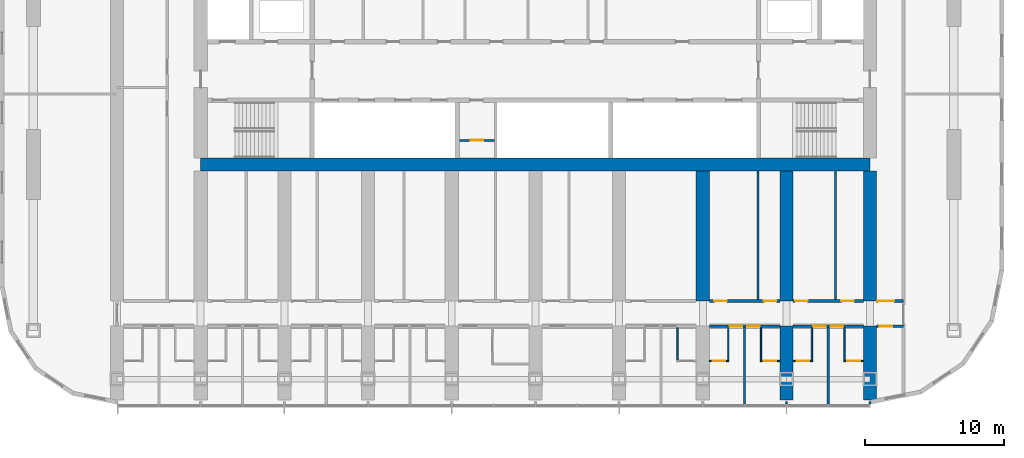
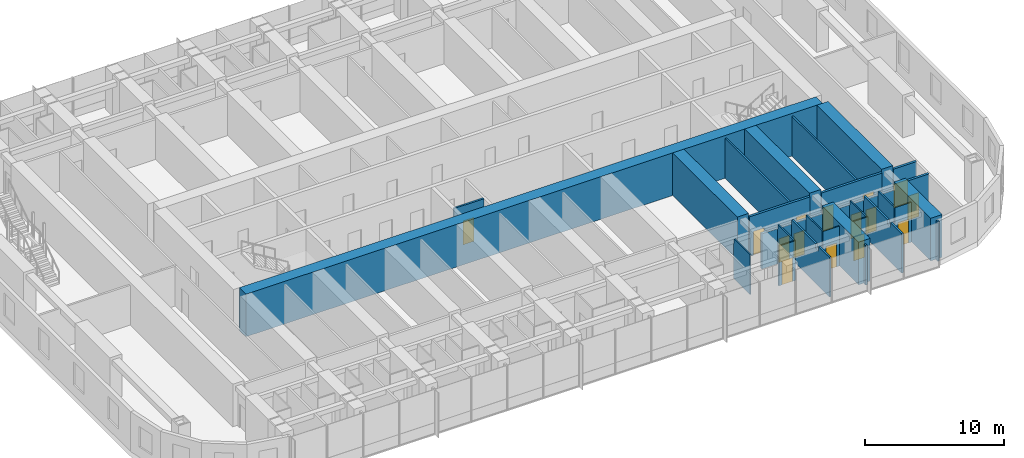
# One storey, part 13 of 25: 28 walls, 15 doors, 15 openings.
"""IFC4 building model written with IfcOpenShell, lengths in metres."""

from ifc_helpers import new_model, si_unit, direction, frame, frame_2d, origin, place, context, subcontext, project, spatial, polyline, rectangle, outline, extrude, material, layer, layer_set, type_object, element, fill, save


model = new_model("IFC4")

# Units and contexts
model_context = context("Model", 3, precision=1e-05, world=origin(), true_north=direction((0.0, 1.0)))
body_context = subcontext(model_context, "Body", "Model", "MODEL_VIEW")
ifc_project = project(units=[si_unit("LENGTHUNIT", "METRE"), si_unit("AREAUNIT", "SQUARE_METRE"), si_unit("VOLUMEUNIT", "CUBIC_METRE"), si_unit("PLANEANGLEUNIT", "RADIAN"), si_unit("MASSUNIT", "GRAM", prefix="KILO")], contexts=[model_context])

# Site, building, storey
site_placement = place(None, origin())
site = spatial("IfcSite", under=ifc_project, at=site_placement, CompositionType="ELEMENT")
building_placement = place(site_placement, origin())
building = spatial("IfcBuilding", under=site, at=building_placement, Name="Orbita Commons", CompositionType="ELEMENT")
storey_placement = place(building_placement, frame((0.0, 0.0, 84.39990234375)))
storey = spatial("IfcBuildingStorey", under=building, at=storey_placement, Name="L20", CompositionType="ELEMENT", Elevation=84.39990234375)

# Wall, opening, door
ifc_material_1 = material(Name="Concrete blockwork", Category="masonry")
ifc_layer_1 = layer(ifc_material_1, 0.14990234375)
ifc_layer_set_1 = layer_set([ifc_layer_1], Name="Concrete blockwork")
wall_type_1 = type_object("IfcWallType", Name="Core partition 150 blockwork", PredefinedType="SOLIDWALL", material=ifc_layer_set_1)
wall_1_placement = place(storey_placement, frame((36.550048828125, 27.52490234375, 0.0), z_axis=(0.0, 0.0, 1.0), x_axis=(1.0, 0.0, 0.0)))
wall_1 = element("IfcWall", 1, at=wall_1_placement, inside=storey, type_object=wall_type_1, Name="Core partition 150 blockwork L20", PredefinedType="SOLIDWALL", context=body_context, shape_type="SweptSolid", body=[
    extrude(rectangle(XDim=2.5, YDim=0.14990234375, at=frame_2d((1.25, 0.0))), origin(), (0.0, 0.0, 1.0), 3.5),
])
opening_1_placement = place(wall_1_placement, frame((0.800048828125, 0.0, 0.0)))
opening_1 = element("IfcOpeningElement", 2, at=opening_1_placement, cuts=wall_1, Name="Opening D05", PredefinedType="OPENING", context=body_context, shape_type="SweptSolid", body=[
    extrude(rectangle(XDim=0.89990234375, YDim=2.10009765625, at=frame_2d((0.449951171875, 1.050048828125))), frame((0.0, 0.0849609375, 0.0), z_axis=(0.0, -1.0, 0.0), x_axis=(1.0, 0.0, 0.0)), (0.0, 0.0, 1.0), 0.169921875),
])
ifc_material_2 = material(Name="Steel-faced fire door leaf", Category="steel")
door_type_1 = type_object("IfcDoorType", Name="Service door 20 min 900x2100", OperationType="SINGLE_SWING_LEFT", PredefinedType="DOOR", material=ifc_material_2)
door_1_placement = place(opening_1_placement, origin())
door_1 = element("IfcDoor", 3, at=door_1_placement, inside=storey, type_object=door_type_1, Name="Cupboard door off Linen store", OperationType="SINGLE_SWING_LEFT", OverallHeight=2.10009765625, OverallWidth=0.89990234375, PredefinedType="DOOR", context=body_context, shape_type="SweptSolid", body=[
    extrude(rectangle(XDim=0.89990234375, YDim=2.10009765625, at=frame_2d((0.449951171875, 1.050048828125))), frame((0.0, 0.02490234375, 0.0), z_axis=(0.0, -1.0, 0.0), x_axis=(1.0, 0.0, 0.0)), (0.0, 0.0, 1.0), 0.050048828125),
])
fill(opening_1, door_1)

# Wall
ifc_material_3 = material(Name="Concrete C50/60", Category="concrete")
ifc_layer_2 = layer(ifc_material_3, 0.949951171875)
ifc_layer_set_2 = layer_set([ifc_layer_2], Name="Concrete C50/60")
wall_type_2 = type_object("IfcWallType", Name="Core wall 950 C50/60", PredefinedType="SHEAR", material=ifc_layer_set_2)
wall_2_placement = place(storey_placement, frame((18.0, 25.800048828125, 0.0), z_axis=(0.0, 0.0, 1.0), x_axis=(1.0, 0.0, 0.0)))
element("IfcWall", 4, at=wall_2_placement, inside=storey, type_object=wall_type_2, Name="Core spine wall south L20", PredefinedType="SHEAR", context=body_context, shape_type="SweptSolid", body=[
    extrude(rectangle(XDim=48.0, YDim=0.949951171875, at=frame_2d((24.0, 0.0))), origin(), (0.0, 0.0, 1.0), 3.75),
])

# Wall, openings, doors
ifc_material_4 = material(Name="Concrete blockwork", Category="masonry")
ifc_layer_3 = layer(ifc_material_4, 0.199951171875)
ifc_layer_set_3 = layer_set([ifc_layer_3], Name="Concrete blockwork")
wall_type_3 = type_object("IfcWallType", Name="Corridor wall 200 blockwork", PredefinedType="SOLIDWALL", material=ifc_layer_set_3)
wall_3_placement = place(storey_placement, frame((54.47509765625, 14.199951171875, 0.0), z_axis=(0.0, 0.0, 1.0), x_axis=(1.0, 0.0, 0.0)))
wall_3 = element("IfcWall", 5, at=wall_3_placement, inside=storey, type_object=wall_type_3, Name="Corridor wall 200 blockwork L20", PredefinedType="SOLIDWALL", context=body_context, shape_type="SweptSolid", body=[
    extrude(outline(polyline([(0.0, 0.0), (5.0498046875, 0.0), (5.050048828125, 3.10009765625), (0.0, 3.10009765625), (0.0, 0.0)])), frame((0.0, 0.10009765625, 0.0), z_axis=(0.0, -1.0, 0.0), x_axis=(1.0, 0.0, 0.0)), (0.0, 0.0, 1.0), 0.199951171875),
])
opening_2_placement = place(wall_3_placement, frame((1.449951171875, 0.0, 0.0)))
opening_2 = element("IfcOpeningElement", 6, at=opening_2_placement, cuts=wall_3, Name="Opening D11", PredefinedType="OPENING", context=body_context, shape_type="SweptSolid", body=[
    extrude(rectangle(XDim=0.89990234375, YDim=2.10009765625, at=frame_2d((0.449951171875, 1.050048828125))), frame((0.0, 0.10986328125, 0.0), z_axis=(0.0, -1.0, 0.0), x_axis=(1.0, 0.0, 0.0)), (0.0, 0.0, 1.0), 0.219970703125),
])
opening_3_placement = place(wall_3_placement, frame((2.699951171875, 0.0, 0.0)))
opening_3 = element("IfcOpeningElement", 7, at=opening_3_placement, cuts=wall_3, Name="Opening D11", PredefinedType="OPENING", context=body_context, shape_type="SweptSolid", body=[
    extrude(rectangle(XDim=0.89990234375, YDim=2.10009765625, at=frame_2d((0.449951171875, 1.050048828125))), frame((0.0, 0.10986328125, 0.0), z_axis=(0.0, -1.0, 0.0), x_axis=(1.0, 0.0, 0.0)), (0.0, 0.0, 1.0), 0.219970703125),
])
ifc_material_5 = material(Name="Steel-faced fire door leaf", Category="steel")
door_type_2 = type_object("IfcDoorType", Name="Corridor door 20 min 900x2100", OperationType="SINGLE_SWING_LEFT", PredefinedType="DOOR", material=ifc_material_5)
door_2_placement = place(opening_2_placement, origin())
door_2 = element("IfcDoor", 8, at=door_2_placement, inside=storey, type_object=door_type_2, Name="Cluster bedroom L20-S14 door", OperationType="SINGLE_SWING_LEFT", OverallHeight=2.10009765625, OverallWidth=0.89990234375, PredefinedType="DOOR", context=body_context, shape_type="SweptSolid", body=[
    extrude(rectangle(XDim=0.89990234375, YDim=2.10009765625, at=frame_2d((0.449951171875, 1.050048828125))), frame((0.0, 0.02490234375, 0.0), z_axis=(0.0, -1.0, 0.0), x_axis=(1.0, 0.0, 0.0)), (0.0, 0.0, 1.0), 0.050048828125),
])
fill(opening_2, door_2)
door_3_placement = place(opening_3_placement, origin())
door_3 = element("IfcDoor", 9, at=door_3_placement, inside=storey, type_object=door_type_2, Name="Cluster bedroom L20-S15 door", OperationType="SINGLE_SWING_LEFT", OverallHeight=2.10009765625, OverallWidth=0.89990234375, PredefinedType="DOOR", context=body_context, shape_type="SweptSolid", body=[
    extrude(rectangle(XDim=0.89990234375, YDim=2.10009765625, at=frame_2d((0.449951171875, 1.050048828125))), frame((0.0, 0.02490234375, 0.0), z_axis=(0.0, -1.0, 0.0), x_axis=(1.0, 0.0, 0.0)), (0.0, 0.0, 1.0), 0.050048828125),
])
fill(opening_3, door_3)

wall_4_placement = place(storey_placement, frame((60.47509765625, 14.199951171875, 0.0), z_axis=(0.0, 0.0, 1.0), x_axis=(1.0, 0.0, 0.0)))
wall_4 = element("IfcWall", 10, at=wall_4_placement, inside=storey, type_object=wall_type_3, Name="Corridor wall 200 blockwork L20", PredefinedType="SOLIDWALL", context=body_context, shape_type="SweptSolid", body=[
    extrude(outline(polyline([(0.0, 0.0), (5.0498046875, 0.0), (5.050048828125, 3.10009765625), (0.0, 3.10009765625), (0.0, 0.0)])), frame((0.0, 0.10009765625, 0.0), z_axis=(0.0, -1.0, 0.0), x_axis=(1.0, 0.0, 0.0)), (0.0, 0.0, 1.0), 0.199951171875),
])
opening_4_placement = place(wall_4_placement, frame((1.449951171875, 0.0, 0.0)))
opening_4 = element("IfcOpeningElement", 11, at=opening_4_placement, cuts=wall_4, Name="Opening D11", PredefinedType="OPENING", context=body_context, shape_type="SweptSolid", body=[
    extrude(rectangle(XDim=0.89990234375, YDim=2.10009765625, at=frame_2d((0.449951171875, 1.050048828125))), frame((0.0, 0.10986328125, 0.0), z_axis=(0.0, -1.0, 0.0), x_axis=(1.0, 0.0, 0.0)), (0.0, 0.0, 1.0), 0.219970703125),
])
opening_5_placement = place(wall_4_placement, frame((2.699951171875, 0.0, 0.0)))
opening_5 = element("IfcOpeningElement", 12, at=opening_5_placement, cuts=wall_4, Name="Opening D11", PredefinedType="OPENING", context=body_context, shape_type="SweptSolid", body=[
    extrude(rectangle(XDim=0.89990234375, YDim=2.10009765625, at=frame_2d((0.449951171875, 1.050048828125))), frame((0.0, 0.10986328125, 0.0), z_axis=(0.0, -1.0, 0.0), x_axis=(1.0, 0.0, 0.0)), (0.0, 0.0, 1.0), 0.219970703125),
])
door_4_placement = place(opening_4_placement, origin())
door_4 = element("IfcDoor", 13, at=door_4_placement, inside=storey, type_object=door_type_2, Name="Cluster bedroom L20-S16 door", OperationType="SINGLE_SWING_LEFT", OverallHeight=2.10009765625, OverallWidth=0.89990234375, PredefinedType="DOOR", context=body_context, shape_type="SweptSolid", body=[
    extrude(rectangle(XDim=0.89990234375, YDim=2.10009765625, at=frame_2d((0.449951171875, 1.050048828125))), frame((0.0, 0.02490234375, 0.0), z_axis=(0.0, -1.0, 0.0), x_axis=(1.0, 0.0, 0.0)), (0.0, 0.0, 1.0), 0.050048828125),
])
fill(opening_4, door_4)
door_5_placement = place(opening_5_placement, origin())
door_5 = element("IfcDoor", 14, at=door_5_placement, inside=storey, type_object=door_type_2, Name="Cluster bedroom L20-S17 door", OperationType="SINGLE_SWING_LEFT", OverallHeight=2.10009765625, OverallWidth=0.89990234375, PredefinedType="DOOR", context=body_context, shape_type="SweptSolid", body=[
    extrude(rectangle(XDim=0.89990234375, YDim=2.10009765625, at=frame_2d((0.449951171875, 1.050048828125))), frame((0.0, 0.02490234375, 0.0), z_axis=(0.0, -1.0, 0.0), x_axis=(1.0, 0.0, 0.0)), (0.0, 0.0, 1.0), 0.050048828125),
])
fill(opening_5, door_5)

# Wall, opening, door
wall_5_placement = place(storey_placement, frame((66.47509765625, 14.199951171875, 0.0), z_axis=(0.0, 0.0, 1.0), x_axis=(1.0, 0.0, 0.0)))
wall_5 = element("IfcWall", 15, at=wall_5_placement, inside=storey, type_object=wall_type_3, Name="Corridor wall 200 blockwork L20", PredefinedType="SOLIDWALL", context=body_context, shape_type="SweptSolid", body=[
    extrude(rectangle(XDim=1.9248046875, YDim=0.199951171875, at=frame_2d((0.96240234375, 0.0))), origin(), (0.0, 0.0, 1.0), 3.5),
])
opening_6_placement = place(wall_5_placement, frame((0.199951171875, 0.0, 0.0)))
opening_6 = element("IfcOpeningElement", 16, at=opening_6_placement, cuts=wall_5, Name="Opening D05", PredefinedType="OPENING", context=body_context, shape_type="SweptSolid", body=[
    extrude(rectangle(XDim=0.89990234375, YDim=2.10009765625, at=frame_2d((0.449951171875, 1.050048828125))), frame((0.0, 0.10986328125, 0.0), z_axis=(0.0, -1.0, 0.0), x_axis=(1.0, 0.0, 0.0)), (0.0, 0.0, 1.0), 0.219970703125),
])
door_6_placement = place(opening_6_placement, origin())
door_6 = element("IfcDoor", 17, at=door_6_placement, inside=storey, type_object=door_type_1, Name="Linen store L20-KES door", OperationType="SINGLE_SWING_LEFT", OverallHeight=2.10009765625, OverallWidth=0.89990234375, PredefinedType="DOOR", context=body_context, shape_type="SweptSolid", body=[
    extrude(rectangle(XDim=0.89990234375, YDim=2.10009765625, at=frame_2d((0.449951171875, 1.050048828125))), frame((0.0, 0.02490234375, 0.0), z_axis=(0.0, -1.0, 0.0), x_axis=(1.0, 0.0, 0.0)), (0.0, 0.0, 1.0), 0.050048828125),
])
fill(opening_6, door_6)

# Wall, openings, doors
ifc_material_6 = material(Name="Hollow concrete block 200", Category="concrete")
ifc_layer_4 = layer(ifc_material_6, 0.199951171875)
ifc_layer_set_4 = layer_set([ifc_layer_4], Name="Hollow concrete block 200")
wall_type_4 = type_object("IfcWallType", Name="Corridor wall 200 hollow concrete block", PredefinedType="SOLIDWALL", material=ifc_layer_set_4)
wall_6_placement = place(storey_placement, frame((54.47509765625, 16.0, 0.0), z_axis=(0.0, 0.0, 1.0), x_axis=(1.0, 0.0, 0.0)))
wall_6 = element("IfcWall", 18, at=wall_6_placement, inside=storey, type_object=wall_type_4, Name="Corridor wall 200 hollow concrete block L20", PredefinedType="SOLIDWALL", context=body_context, shape_type="SweptSolid", body=[
    extrude(rectangle(XDim=5.0498046875, YDim=0.199951171875, at=frame_2d((2.52490234375, 0.0))), origin(), (0.0, 0.0, 1.0), 3.5),
])
opening_7_placement = place(wall_6_placement, frame((0.35009765625, 0.0, 0.0)))
opening_7 = element("IfcOpeningElement", 19, at=opening_7_placement, cuts=wall_6, Name="Opening D11", PredefinedType="OPENING", context=body_context, shape_type="SweptSolid", body=[
    extrude(rectangle(XDim=0.89990234375, YDim=2.10009765625, at=frame_2d((0.449951171875, 1.050048828125))), frame((0.0, 0.10986328125, 0.0), z_axis=(0.0, -1.0, 0.0), x_axis=(1.0, 0.0, 0.0)), (0.0, 0.0, 1.0), 0.219970703125),
])
opening_8_placement = place(wall_6_placement, frame((3.905029296875, 0.0, 0.0)))
opening_8 = element("IfcOpeningElement", 20, at=opening_8_placement, cuts=wall_6, Name="Opening D11", PredefinedType="OPENING", context=body_context, shape_type="SweptSolid", body=[
    extrude(rectangle(XDim=0.89990234375, YDim=2.10009765625, at=frame_2d((0.449951171875, 1.050048828125))), frame((0.0, 0.10986328125, 0.0), z_axis=(0.0, -1.0, 0.0), x_axis=(1.0, 0.0, 0.0)), (0.0, 0.0, 1.0), 0.219970703125),
])
door_7_placement = place(opening_7_placement, origin())
door_7 = element("IfcDoor", 21, at=door_7_placement, inside=storey, type_object=door_type_2, Name="Electrical and data room L20-BDS54 door", OperationType="SINGLE_SWING_LEFT", OverallHeight=2.10009765625, OverallWidth=0.89990234375, PredefinedType="DOOR", context=body_context, shape_type="SweptSolid", body=[
    extrude(rectangle(XDim=0.89990234375, YDim=2.10009765625, at=frame_2d((0.449951171875, 1.050048828125))), frame((0.0, 0.02490234375, 0.0), z_axis=(0.0, -1.0, 0.0), x_axis=(1.0, 0.0, 0.0)), (0.0, 0.0, 1.0), 0.050048828125),
])
fill(opening_7, door_7)
door_8_placement = place(opening_8_placement, origin())
door_8 = element("IfcDoor", 22, at=door_8_placement, inside=storey, type_object=door_type_2, Name="Water heater cupboard L20-BDS54n door", OperationType="SINGLE_SWING_LEFT", OverallHeight=2.10009765625, OverallWidth=0.89990234375, PredefinedType="DOOR", context=body_context, shape_type="SweptSolid", body=[
    extrude(rectangle(XDim=0.89990234375, YDim=2.10009765625, at=frame_2d((0.449951171875, 1.050048828125))), frame((0.0, 0.02490234375, 0.0), z_axis=(0.0, -1.0, 0.0), x_axis=(1.0, 0.0, 0.0)), (0.0, 0.0, 1.0), 0.050048828125),
])
fill(opening_8, door_8)

wall_7_placement = place(storey_placement, frame((60.47509765625, 16.0, 0.0), z_axis=(0.0, 0.0, 1.0), x_axis=(1.0, 0.0, 0.0)))
wall_7 = element("IfcWall", 23, at=wall_7_placement, inside=storey, type_object=wall_type_4, Name="Corridor wall 200 hollow concrete block L20", PredefinedType="SOLIDWALL", context=body_context, shape_type="SweptSolid", body=[
    extrude(rectangle(XDim=5.0498046875, YDim=0.199951171875, at=frame_2d((2.52490234375, 0.0))), origin(), (0.0, 0.0, 1.0), 3.5),
])
opening_9_placement = place(wall_7_placement, frame((0.14990234375, 0.0, 0.0)))
opening_9 = element("IfcOpeningElement", 24, at=opening_9_placement, cuts=wall_7, Name="Opening D11", PredefinedType="OPENING", context=body_context, shape_type="SweptSolid", body=[
    extrude(rectangle(XDim=0.89990234375, YDim=2.10009765625, at=frame_2d((0.449951171875, 1.050048828125))), frame((0.0, 0.10986328125, 0.0), z_axis=(0.0, -1.0, 0.0), x_axis=(1.0, 0.0, 0.0)), (0.0, 0.0, 1.0), 0.219970703125),
])
opening_10_placement = place(wall_7_placement, frame((3.465087890625, 0.0, 0.0)))
opening_10 = element("IfcOpeningElement", 25, at=opening_10_placement, cuts=wall_7, Name="Opening D11", PredefinedType="OPENING", context=body_context, shape_type="SweptSolid", body=[
    extrude(rectangle(XDim=0.89990234375, YDim=2.10009765625, at=frame_2d((0.449951171875, 1.050048828125))), frame((0.0, 0.10986328125, 0.0), z_axis=(0.0, -1.0, 0.0), x_axis=(1.0, 0.0, 0.0)), (0.0, 0.0, 1.0), 0.219970703125),
])
door_9_placement = place(opening_9_placement, origin())
door_9 = element("IfcDoor", 26, at=door_9_placement, inside=storey, type_object=door_type_2, Name="Ventilation plant room north L20-BDS60 door", OperationType="SINGLE_SWING_LEFT", OverallHeight=2.10009765625, OverallWidth=0.89990234375, PredefinedType="DOOR", context=body_context, shape_type="SweptSolid", body=[
    extrude(rectangle(XDim=0.89990234375, YDim=2.10009765625, at=frame_2d((0.449951171875, 1.050048828125))), frame((0.0, 0.02490234375, 0.0), z_axis=(0.0, -1.0, 0.0), x_axis=(1.0, 0.0, 0.0)), (0.0, 0.0, 1.0), 0.050048828125),
])
fill(opening_9, door_9)
door_10_placement = place(opening_10_placement, origin())
door_10 = element("IfcDoor", 27, at=door_10_placement, inside=storey, type_object=door_type_2, Name="Equipment store L20-BDS60n door", OperationType="SINGLE_SWING_LEFT", OverallHeight=2.10009765625, OverallWidth=0.89990234375, PredefinedType="DOOR", context=body_context, shape_type="SweptSolid", body=[
    extrude(rectangle(XDim=0.89990234375, YDim=2.10009765625, at=frame_2d((0.449951171875, 1.050048828125))), frame((0.0, 0.02490234375, 0.0), z_axis=(0.0, -1.0, 0.0), x_axis=(1.0, 0.0, 0.0)), (0.0, 0.0, 1.0), 0.050048828125),
])
fill(opening_10, door_10)

# Wall, opening, door
wall_8_placement = place(storey_placement, frame((66.47509765625, 16.0, 0.0), z_axis=(0.0, 0.0, 1.0), x_axis=(1.0, 0.0, 0.0)))
wall_8 = element("IfcWall", 28, at=wall_8_placement, inside=storey, type_object=wall_type_4, Name="Corridor wall 200 hollow concrete block L20", PredefinedType="SOLIDWALL", context=body_context, shape_type="SweptSolid", body=[
    extrude(rectangle(XDim=1.9248046875, YDim=0.199951171875, at=frame_2d((0.96240234375, 0.0))), origin(), (0.0, 0.0, 1.0), 3.5),
])
opening_11_placement = place(wall_8_placement, frame((0.050048828125, 0.0, 0.0)))
opening_11 = element("IfcOpeningElement", 29, at=opening_11_placement, cuts=wall_8, Name="Opening D12", PredefinedType="OPENING", context=body_context, shape_type="SweptSolid", body=[
    extrude(rectangle(XDim=1.199951171875, YDim=2.10009765625, at=frame_2d((0.60009765625, 1.050048828125))), frame((0.0, 0.10986328125, 0.0), z_axis=(0.0, -1.0, 0.0), x_axis=(1.0, 0.0, 0.0)), (0.0, 0.0, 1.0), 0.219970703125),
])
ifc_material_7 = material(Name="Steel-faced fire door leaf", Category="steel")
door_type_3 = type_object("IfcDoorType", Name="Double corridor door 20 min 1200x2100", OperationType="DOUBLE_DOOR_SINGLE_SWING", PredefinedType="DOOR", material=ifc_material_7)
door_11_placement = place(opening_11_placement, origin())
door_11 = element("IfcDoor", 30, at=door_11_placement, inside=storey, type_object=door_type_3, Name="Cross corridor doors", OperationType="DOUBLE_DOOR_SINGLE_SWING", OverallHeight=2.10009765625, OverallWidth=1.199951171875, PredefinedType="DOOR", context=body_context, shape_type="SweptSolid", body=[
    extrude(rectangle(XDim=1.199951171875, YDim=2.10009765625, at=frame_2d((0.60009765625, 1.050048828125))), frame((0.0, 0.02490234375, 0.0), z_axis=(0.0, -1.0, 0.0), x_axis=(1.0, 0.0, 0.0)), (0.0, 0.0, 1.0), 0.050048828125),
])
fill(opening_11, door_11)

# Walls
ifc_material_8 = material(Name="Concrete C50/60", Category="concrete")
ifc_layer_5 = layer(ifc_material_8, 0.949951171875)
ifc_layer_set_5 = layer_set([ifc_layer_5], Name="Concrete C50/60")
wall_type_5 = type_object("IfcWallType", Name="Cross wall 950 C50/60", PredefinedType="SHEAR", material=ifc_layer_set_5)
wall_9_placement = place(storey_placement, frame((54.0, 16.0, 0.0), z_axis=(0.0, 0.0, 1.0), x_axis=(0.0, 1.0, 0.0)))
element("IfcWall", 31, at=wall_9_placement, inside=storey, type_object=wall_type_5, Name="Cross wall 10 south inner L20", PredefinedType="SHEAR", context=body_context, shape_type="SweptSolid", body=[
    extrude(rectangle(XDim=9.324951171875, YDim=0.949951171875, at=frame_2d((4.66259765625, 0.0))), origin(), (0.0, 0.0, 1.0), 3.75),
])
wall_10_placement = place(storey_placement, frame((60.0, 8.89990234375, 0.0), z_axis=(0.0, 0.0, 1.0), x_axis=(0.0, 1.0, 0.0)))
element("IfcWall", 32, at=wall_10_placement, inside=storey, type_object=wall_type_5, Name="Cross wall 11 south outer L20", PredefinedType="SHEAR", context=body_context, shape_type="SweptSolid", body=[
    extrude(rectangle(XDim=5.300048828125, YDim=0.949951171875, at=frame_2d((2.64990234375, 0.0))), origin(), (0.0, 0.0, 1.0), 3.75),
])
wall_11_placement = place(storey_placement, frame((60.0, 16.0, 0.0), z_axis=(0.0, 0.0, 1.0), x_axis=(0.0, 1.0, 0.0)))
element("IfcWall", 33, at=wall_11_placement, inside=storey, type_object=wall_type_5, Name="Cross wall 11 south inner L20", PredefinedType="SHEAR", context=body_context, shape_type="SweptSolid", body=[
    extrude(rectangle(XDim=9.324951171875, YDim=0.949951171875, at=frame_2d((4.66259765625, 0.0))), origin(), (0.0, 0.0, 1.0), 3.75),
])
wall_12_placement = place(storey_placement, frame((66.0, 8.89990234375, 0.0), z_axis=(0.0, 0.0, 1.0), x_axis=(0.0, 1.0, 0.0)))
element("IfcWall", 34, at=wall_12_placement, inside=storey, type_object=wall_type_5, Name="Cross wall 12 south outer L20", PredefinedType="SHEAR", context=body_context, shape_type="SweptSolid", body=[
    extrude(rectangle(XDim=5.300048828125, YDim=0.949951171875, at=frame_2d((2.64990234375, 0.0))), origin(), (0.0, 0.0, 1.0), 3.75),
])
wall_13_placement = place(storey_placement, frame((66.0, 16.0, 0.0), z_axis=(0.0, 0.0, 1.0), x_axis=(0.0, 1.0, 0.0)))
element("IfcWall", 35, at=wall_13_placement, inside=storey, type_object=wall_type_5, Name="Cross wall 12 south inner L20", PredefinedType="SHEAR", context=body_context, shape_type="SweptSolid", body=[
    extrude(rectangle(XDim=9.324951171875, YDim=0.949951171875, at=frame_2d((4.66259765625, 0.0))), origin(), (0.0, 0.0, 1.0), 3.75),
])
ifc_material_9 = material(Name="Moisture-resistant plasterboard on steel studs", Category="steel")
ifc_layer_6 = layer(ifc_material_9, 0.10009765625)
ifc_layer_set_6 = layer_set([ifc_layer_6], Name="Moisture-resistant plasterboard on steel studs")
wall_type_6 = type_object("IfcWallType", Name="En-suite partition 100", PredefinedType="PARTITIONING", material=ifc_layer_set_6)
wall_14_placement = place(storey_placement, frame((52.175048828125, 11.75, 0.0), z_axis=(0.0, 0.0, 1.0), x_axis=(0.0, 1.0, 0.0)))
element("IfcWall", 36, at=wall_14_placement, inside=storey, type_object=wall_type_6, Name="En-suite partition 100 L20", PredefinedType="PARTITIONING", context=body_context, shape_type="SweptSolid", body=[
    extrude(outline(polyline([(0.0, 0.0), (2.35009765625, 0.0), (2.35009765625, 3.10009765625), (2.302001953125, 3.10009765625), (2.300048828125, 3.5), (0.0, 3.5), (0.0, 0.0)])), frame((0.0, 0.050048828125, 0.0), z_axis=(0.0, -1.0, 0.0), x_axis=(1.0, 0.0, 0.0)), (0.0, 0.0, 1.0), 0.10009765625),
])

# Wall, opening, door
wall_15_placement = place(storey_placement, frame((55.875, 11.699951171875, 0.0), z_axis=(0.0, 0.0, 1.0), x_axis=(-1.0, 0.0, 0.0)))
wall_15 = element("IfcWall", 37, at=wall_15_placement, inside=storey, type_object=wall_type_6, Name="En-suite partition 100 L20", PredefinedType="PARTITIONING", context=body_context, shape_type="SweptSolid", body=[
    extrude(rectangle(XDim=1.39990234375, YDim=0.10009765625, at=frame_2d((0.699951171875, 0.0))), origin(), (0.0, 0.0, 1.0), 3.5),
])
opening_12_placement = place(wall_15_placement, frame((0.25, 0.0, 0.0)))
opening_12 = element("IfcOpeningElement", 38, at=opening_12_placement, cuts=wall_15, Name="Opening D09", PredefinedType="OPENING", context=body_context, shape_type="SweptSolid", body=[
    extrude(rectangle(XDim=0.89990234375, YDim=2.10009765625, at=frame_2d((0.449951171875, 1.050048828125))), frame((0.0, 0.06005859375, 0.0), z_axis=(0.0, -1.0, 0.0), x_axis=(1.0, 0.0, 0.0)), (0.0, 0.0, 1.0), 0.1201171875),
])
ifc_material_10 = material(Name="Laminated timber door leaf", Category="wood")
door_type_4 = type_object("IfcDoorType", Name="En-suite door 900x2100", OperationType="SINGLE_SWING_RIGHT", PredefinedType="DOOR", material=ifc_material_10)
door_12_placement = place(opening_12_placement, origin())
door_12 = element("IfcDoor", 39, at=door_12_placement, inside=storey, type_object=door_type_4, Name="En-suite L20-S14 door", OperationType="SINGLE_SWING_RIGHT", OverallHeight=2.10009765625, OverallWidth=0.89990234375, PredefinedType="DOOR", context=body_context, shape_type="SweptSolid", body=[
    extrude(rectangle(XDim=0.89990234375, YDim=2.10009765625, at=frame_2d((0.449951171875, 1.050048828125))), frame((0.0, 0.02490234375, 0.0), z_axis=(0.0, -1.0, 0.0), x_axis=(1.0, 0.0, 0.0)), (0.0, 0.0, 1.0), 0.050048828125),
])
fill(opening_12, door_12)

# Wall
wall_16_placement = place(storey_placement, frame((55.824951171875, 11.75, 0.0), z_axis=(0.0, 0.0, 1.0), x_axis=(0.0, 1.0, 0.0)))
element("IfcWall", 40, at=wall_16_placement, inside=storey, type_object=wall_type_6, Name="En-suite partition 100 L20", PredefinedType="PARTITIONING", context=body_context, shape_type="SweptSolid", body=[
    extrude(outline(polyline([(0.0, 0.0), (2.35009765625, 0.0), (2.35009765625, 3.10009765625), (2.302001953125, 3.10009765625), (2.300048828125, 3.5), (0.0, 3.5), (0.0, 0.0)])), frame((0.0, 0.050048828125, 0.0), z_axis=(0.0, -1.0, 0.0), x_axis=(1.0, 0.0, 0.0)), (0.0, 0.0, 1.0), 0.10009765625),
])

# Wall, opening, door
wall_17_placement = place(storey_placement, frame((59.52490234375, 11.699951171875, 0.0), z_axis=(0.0, 0.0, 1.0), x_axis=(-1.0, 0.0, 0.0)))
wall_17 = element("IfcWall", 41, at=wall_17_placement, inside=storey, type_object=wall_type_6, Name="En-suite partition 100 L20", PredefinedType="PARTITIONING", context=body_context, shape_type="SweptSolid", body=[
    extrude(rectangle(XDim=1.39990234375, YDim=0.10009765625, at=frame_2d((0.699951171875, 0.0))), origin(), (0.0, 0.0, 1.0), 3.5),
])
opening_13_placement = place(wall_17_placement, frame((0.25, 0.0, 0.0)))
opening_13 = element("IfcOpeningElement", 42, at=opening_13_placement, cuts=wall_17, Name="Opening D09", PredefinedType="OPENING", context=body_context, shape_type="SweptSolid", body=[
    extrude(rectangle(XDim=0.89990234375, YDim=2.10009765625, at=frame_2d((0.449951171875, 1.050048828125))), frame((0.0, 0.06005859375, 0.0), z_axis=(0.0, -1.0, 0.0), x_axis=(1.0, 0.0, 0.0)), (0.0, 0.0, 1.0), 0.1201171875),
])
door_13_placement = place(opening_13_placement, origin())
door_13 = element("IfcDoor", 43, at=door_13_placement, inside=storey, type_object=door_type_4, Name="En-suite L20-S15 door", OperationType="SINGLE_SWING_RIGHT", OverallHeight=2.10009765625, OverallWidth=0.89990234375, PredefinedType="DOOR", context=body_context, shape_type="SweptSolid", body=[
    extrude(rectangle(XDim=0.89990234375, YDim=2.10009765625, at=frame_2d((0.449951171875, 1.050048828125))), frame((0.0, 0.02490234375, 0.0), z_axis=(0.0, -1.0, 0.0), x_axis=(1.0, 0.0, 0.0)), (0.0, 0.0, 1.0), 0.050048828125),
])
fill(opening_13, door_13)

# Wall
wall_18_placement = place(storey_placement, frame((58.175048828125, 11.75, 0.0), z_axis=(0.0, 0.0, 1.0), x_axis=(0.0, 1.0, 0.0)))
element("IfcWall", 44, at=wall_18_placement, inside=storey, type_object=wall_type_6, Name="En-suite partition 100 L20", PredefinedType="PARTITIONING", context=body_context, shape_type="SweptSolid", body=[
    extrude(outline(polyline([(0.0, 0.0), (2.35009765625, 0.0), (2.35009765625, 3.10009765625), (2.302001953125, 3.10009765625), (2.300048828125, 3.5), (0.0, 3.5), (0.0, 0.0)])), frame((0.0, 0.050048828125, 0.0), z_axis=(0.0, -1.0, 0.0), x_axis=(1.0, 0.0, 0.0)), (0.0, 0.0, 1.0), 0.10009765625),
])

# Wall, opening, door
wall_19_placement = place(storey_placement, frame((61.875, 11.699951171875, 0.0), z_axis=(0.0, 0.0, 1.0), x_axis=(-1.0, 0.0, 0.0)))
wall_19 = element("IfcWall", 45, at=wall_19_placement, inside=storey, type_object=wall_type_6, Name="En-suite partition 100 L20", PredefinedType="PARTITIONING", context=body_context, shape_type="SweptSolid", body=[
    extrude(rectangle(XDim=1.39990234375, YDim=0.10009765625, at=frame_2d((0.699951171875, 0.0))), origin(), (0.0, 0.0, 1.0), 3.5),
])
opening_14_placement = place(wall_19_placement, frame((0.25, 0.0, 0.0)))
opening_14 = element("IfcOpeningElement", 46, at=opening_14_placement, cuts=wall_19, Name="Opening D09", PredefinedType="OPENING", context=body_context, shape_type="SweptSolid", body=[
    extrude(rectangle(XDim=0.89990234375, YDim=2.10009765625, at=frame_2d((0.449951171875, 1.050048828125))), frame((0.0, 0.06005859375, 0.0), z_axis=(0.0, -1.0, 0.0), x_axis=(1.0, 0.0, 0.0)), (0.0, 0.0, 1.0), 0.1201171875),
])
door_14_placement = place(opening_14_placement, origin())
door_14 = element("IfcDoor", 47, at=door_14_placement, inside=storey, type_object=door_type_4, Name="En-suite L20-S16 door", OperationType="SINGLE_SWING_RIGHT", OverallHeight=2.10009765625, OverallWidth=0.89990234375, PredefinedType="DOOR", context=body_context, shape_type="SweptSolid", body=[
    extrude(rectangle(XDim=0.89990234375, YDim=2.10009765625, at=frame_2d((0.449951171875, 1.050048828125))), frame((0.0, 0.02490234375, 0.0), z_axis=(0.0, -1.0, 0.0), x_axis=(1.0, 0.0, 0.0)), (0.0, 0.0, 1.0), 0.050048828125),
])
fill(opening_14, door_14)

# Wall
wall_20_placement = place(storey_placement, frame((61.824951171875, 11.75, 0.0), z_axis=(0.0, 0.0, 1.0), x_axis=(0.0, 1.0, 0.0)))
element("IfcWall", 48, at=wall_20_placement, inside=storey, type_object=wall_type_6, Name="En-suite partition 100 L20", PredefinedType="PARTITIONING", context=body_context, shape_type="SweptSolid", body=[
    extrude(outline(polyline([(0.0, 0.0), (2.35009765625, 0.0), (2.35009765625, 3.10009765625), (2.302001953125, 3.10009765625), (2.300048828125, 3.5), (0.0, 3.5), (0.0, 0.0)])), frame((0.0, 0.050048828125, 0.0), z_axis=(0.0, -1.0, 0.0), x_axis=(1.0, 0.0, 0.0)), (0.0, 0.0, 1.0), 0.10009765625),
])

# Wall, opening, door
wall_21_placement = place(storey_placement, frame((65.52490234375, 11.699951171875, 0.0), z_axis=(0.0, 0.0, 1.0), x_axis=(-1.0, 0.0, 0.0)))
wall_21 = element("IfcWall", 49, at=wall_21_placement, inside=storey, type_object=wall_type_6, Name="En-suite partition 100 L20", PredefinedType="PARTITIONING", context=body_context, shape_type="SweptSolid", body=[
    extrude(rectangle(XDim=1.39990234375, YDim=0.10009765625, at=frame_2d((0.699951171875, 0.0))), origin(), (0.0, 0.0, 1.0), 3.5),
])
opening_15_placement = place(wall_21_placement, frame((0.25, 0.0, 0.0)))
opening_15 = element("IfcOpeningElement", 50, at=opening_15_placement, cuts=wall_21, Name="Opening D09", PredefinedType="OPENING", context=body_context, shape_type="SweptSolid", body=[
    extrude(rectangle(XDim=0.89990234375, YDim=2.10009765625, at=frame_2d((0.449951171875, 1.050048828125))), frame((0.0, 0.06005859375, 0.0), z_axis=(0.0, -1.0, 0.0), x_axis=(1.0, 0.0, 0.0)), (0.0, 0.0, 1.0), 0.1201171875),
])
door_15_placement = place(opening_15_placement, origin())
door_15 = element("IfcDoor", 51, at=door_15_placement, inside=storey, type_object=door_type_4, Name="En-suite L20-S17 door", OperationType="SINGLE_SWING_RIGHT", OverallHeight=2.10009765625, OverallWidth=0.89990234375, PredefinedType="DOOR", context=body_context, shape_type="SweptSolid", body=[
    extrude(rectangle(XDim=0.89990234375, YDim=2.10009765625, at=frame_2d((0.449951171875, 1.050048828125))), frame((0.0, 0.02490234375, 0.0), z_axis=(0.0, -1.0, 0.0), x_axis=(1.0, 0.0, 0.0)), (0.0, 0.0, 1.0), 0.050048828125),
])
fill(opening_15, door_15)

# Walls
wall_22_placement = place(storey_placement, frame((64.175048828125, 11.75, 0.0), z_axis=(0.0, 0.0, 1.0), x_axis=(0.0, 1.0, 0.0)))
element("IfcWall", 52, at=wall_22_placement, inside=storey, type_object=wall_type_6, Name="En-suite partition 100 L20", PredefinedType="PARTITIONING", context=body_context, shape_type="SweptSolid", body=[
    extrude(outline(polyline([(0.0, 0.0), (2.35009765625, 0.0), (2.35009765625, 3.10009765625), (2.302001953125, 3.10009765625), (2.300048828125, 3.5), (0.0, 3.5), (0.0, 0.0)])), frame((0.0, 0.050048828125, 0.0), z_axis=(0.0, -1.0, 0.0), x_axis=(1.0, 0.0, 0.0)), (0.0, 0.0, 1.0), 0.10009765625),
])
ifc_material_11 = material(Name="Gypsum plasterboard on steel studs", Category="steel")
ifc_layer_7 = layer(ifc_material_11, 0.14990234375)
ifc_layer_set_7 = layer_set([ifc_layer_7], Name="Gypsum plasterboard on steel studs")
wall_type_7 = type_object("IfcWallType", Name="Partition 150 plasterboard", PredefinedType="PARTITIONING", material=ifc_layer_set_7)
for number, where, z_axis, x_axis, name in (
    (53, (57.955078125, 16.10009765625, 0.0), (0.0, 0.0, 1.0), (0.0, 1.0, 0.0), "Partition 150 plasterboard L20"),
    (54, (63.514892578125, 16.10009765625, 0.0), (0.0, 0.0, 1.0), (0.0, 1.0, 0.0), "Partition 150 plasterboard L20"),
):
    element("IfcWall", number, at=place(storey_placement, frame(where, z_axis=z_axis, x_axis=x_axis)), inside=storey, type_object=wall_type_7, Name=name, PredefinedType="PARTITIONING", context=body_context, shape_type="SweptSolid", body=[
        extrude(rectangle(XDim=9.224853515625, YDim=0.14990234375, at=frame_2d((4.6123046875, 0.0))), origin(), (0.0, 0.0, 1.0), 3.5),
    ])
wall_23_placement = place(storey_placement, frame((60.0, 8.800048828125, 0.0), z_axis=(0.0, 0.0, 1.0), x_axis=(0.0, -1.0, 0.0)))
element("IfcWall", 55, at=wall_23_placement, inside=storey, type_object=wall_type_7, Name="Partition 150 plasterboard L20", PredefinedType="PARTITIONING", context=body_context, shape_type="SweptSolid", body=[
    extrude(rectangle(XDim=0.18994140625, YDim=0.14990234375, at=frame_2d((0.094970703125, 0.0))), origin(), (0.0, 0.0, 1.0), 3.5),
])
wall_24_placement = place(storey_placement, frame((66.0, 8.800048828125, 0.0), z_axis=(0.0, 0.0, 1.0), x_axis=(0.0, -1.0, 0.0)))
element("IfcWall", 56, at=wall_24_placement, inside=storey, type_object=wall_type_7, Name="Partition 150 plasterboard L20", PredefinedType="PARTITIONING", context=body_context, shape_type="SweptSolid", body=[
    extrude(rectangle(XDim=0.219970703125, YDim=0.14990234375, at=frame_2d((0.10986328125, 0.0))), origin(), (0.0, 0.0, 1.0), 3.5),
])
ifc_material_12 = material(Name="Gypsum plasterboard on steel studs", Category="steel")
ifc_layer_8 = layer(ifc_material_12, 0.14990234375)
ifc_layer_set_8 = layer_set([ifc_layer_8], Name="Gypsum plasterboard on steel studs")
wall_type_8 = type_object("IfcWallType", Name="Party wall 150 plasterboard", PredefinedType="PARTITIONING", material=ifc_layer_set_8)
for number, where, z_axis, x_axis, name in (
    (57, (57.0, 8.610107421875, 0.0), (0.0, 0.0, 1.0), (0.0, 1.0, 0.0), "Party wall 150 plasterboard L20"),
    (58, (63.0, 8.610107421875, 0.0), (0.0, 0.0, 1.0), (0.0, 1.0, 0.0), "Party wall 150 plasterboard L20"),
):
    element("IfcWall", number, at=place(storey_placement, frame(where, z_axis=z_axis, x_axis=x_axis)), inside=storey, type_object=wall_type_8, Name=name, PredefinedType="PARTITIONING", context=body_context, shape_type="SweptSolid", body=[
        extrude(outline(polyline([(0.0, 0.0), (5.489990234375, 0.0), (5.489990234375, 3.10009765625), (5.44189453125, 3.10009765625), (5.43994140625, 3.5), (1.991943359375, 3.5), (1.989990234375, 3.10009765625), (1.592041015625, 3.10009765625), (1.590087890625, 3.5), (0.0, 3.5), (0.0, 0.0)])), frame((0.0, 0.074951171875, 0.0), z_axis=(0.0, -1.0, 0.0), x_axis=(1.0, 0.0, 0.0)), (0.0, 0.0, 1.0), 0.14990234375),
    ])

save(model, "model.ifc")
